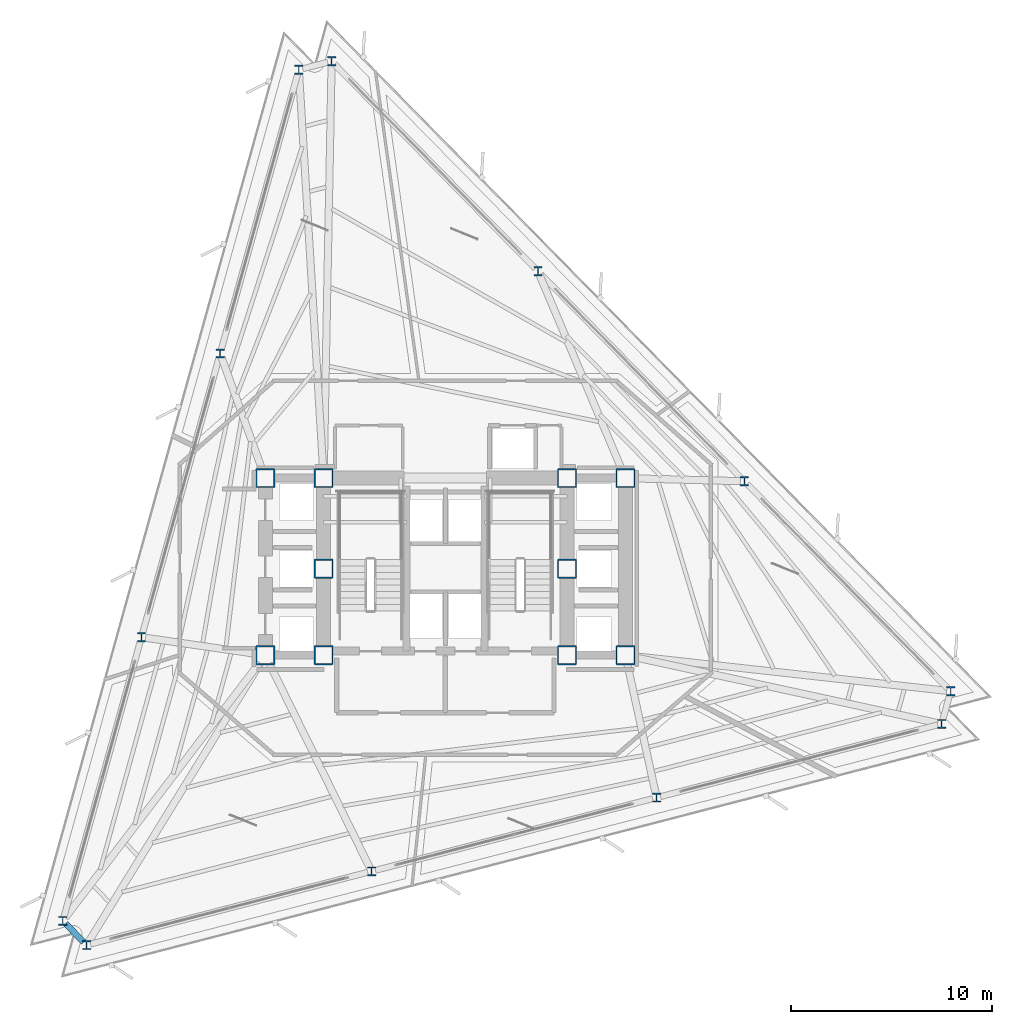
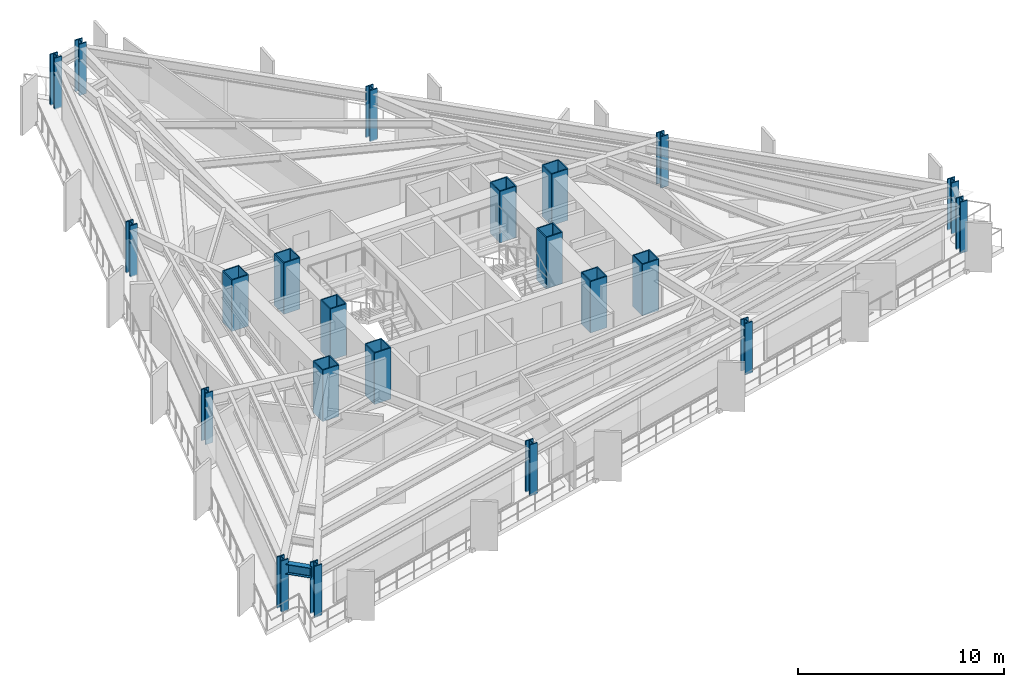
# One storey, part 1 of 11: 22 columns, 1 beam.
"""IFC4 building model written with IfcOpenShell, lengths in metres."""

from ifc_helpers import new_model, si_unit, direction, frame, origin, origin_2d, place, context, subcontext, project, spatial, hollow_rectangle, i_section, extrude, material, material_profile, profile_set, type_object, element, save


model = new_model("IFC4")

# Units and contexts
model_context = context("Model", 3, precision=1e-05, world=origin(), true_north=direction((0.0, 1.0)))
body_context = subcontext(model_context, "Body", "Model", "MODEL_VIEW")
ifc_project = project(units=[si_unit("LENGTHUNIT", "METRE"), si_unit("AREAUNIT", "SQUARE_METRE"), si_unit("VOLUMEUNIT", "CUBIC_METRE"), si_unit("PLANEANGLEUNIT", "RADIAN"), si_unit("MASSUNIT", "GRAM", prefix="KILO")], contexts=[model_context])

# Site, building, storey
site_placement = place(None, origin())
site = spatial("IfcSite", under=ifc_project, at=site_placement, CompositionType="ELEMENT")
building_placement = place(site_placement, origin())
building = spatial("IfcBuilding", under=site, at=building_placement, Name="Rocaltana Carrier Exchange", CompositionType="ELEMENT")
storey_placement = place(building_placement, frame((0.0, 0.0, 85.60009765625)))
storey = spatial("IfcBuildingStorey", under=building, at=storey_placement, Name="L26", CompositionType="ELEMENT", Elevation=85.60009765625)

# Columns
ifc_material_1 = material(Name="Steel S460", Category="steel")
ifc_material_profile_1 = material_profile(ifc_material_1, hollow_rectangle(XDim=0.949951171875, YDim=0.949951171875, WallThickness=0.06005859375, InnerFilletRadius=0.02001953125, OuterFilletRadius=0.0400390625, at=origin_2d()), Name="BOX950X950X60")
ifc_profile_set_1 = profile_set([ifc_material_profile_1], Name="Steel S460")
column_type_1 = type_object("IfcColumnType", Name="Core Mega-Column BOX950", PredefinedType="COLUMN", material=ifc_profile_set_1)
for number, where, z_axis, x_axis, name in (
    (1, (-6.050048828125, 4.5, 0.0), (0.0, 0.0, 1.0), (1.0, 0.0, 0.0), "L26 Core Mega-Column MC1"),
    (2, (6.050048828125, 4.5, 0.0), (0.0, 0.0, 1.0), (1.0, 0.0, 0.0), "L26 Core Mega-Column MC2"),
    (3, (-6.050048828125, 0.0, 0.0), (0.0, 0.0, 1.0), (1.0, 0.0, 0.0), "L26 Core Mega-Column MC3"),
    (4, (6.050048828125, 0.0, 0.0), (0.0, 0.0, 1.0), (1.0, 0.0, 0.0), "L26 Core Mega-Column MC4"),
    (5, (-6.050048828125, -4.300048828125, 0.0), (0.0, 0.0, 1.0), (1.0, 0.0, 0.0), "L26 Core Mega-Column MC5"),
    (6, (6.050048828125, -4.300048828125, 0.0), (0.0, 0.0, 1.0), (1.0, 0.0, 0.0), "L26 Core Mega-Column MC6"),
    (7, (-8.949951171875, 4.5, 0.0), (0.0, 0.0, 1.0), (1.0, 0.0, 0.0), "L26 West Core Column WC1"),
    (8, (-8.949951171875, -4.300048828125, 0.0), (0.0, 0.0, 1.0), (1.0, 0.0, 0.0), "L26 West Core Column WC2"),
    (9, (8.949951171875, 4.5, 0.0), (0.0, 0.0, 1.0), (1.0, 0.0, 0.0), "L26 East Core Column EC1"),
    (10, (8.949951171875, -4.300048828125, 0.0), (0.0, 0.0, 1.0), (1.0, 0.0, 0.0), "L26 East Core Column EC2"),
):
    element("IfcColumn", number, at=place(storey_placement, frame(where, z_axis=z_axis, x_axis=x_axis)), inside=storey, type_object=column_type_1, Name=name, PredefinedType="COLUMN", context=body_context, shape_type="SweptSolid", body=[
        extrude(hollow_rectangle(XDim=0.949951171875, YDim=0.949951171875, WallThickness=0.06005859375, InnerFilletRadius=0.02001953125, OuterFilletRadius=0.0400390625, at=origin_2d()), origin(), (0.0, 0.0, 1.0), 3.039794921875),
    ])
ifc_material_2 = material(Name="Steel S460", Category="steel")
ifc_material_profile_2 = material_profile(ifc_material_2, i_section(OverallWidth=0.41796875, OverallDepth=0.455078125, WebThickness=0.0419921875, FlangeThickness=0.067626953125, FilletRadius=0.02490234375, at=origin_2d()), Name="W14X370")
ifc_profile_set_2 = profile_set([ifc_material_profile_2], Name="Steel S460")
column_type_2 = type_object("IfcColumnType", Name="Perimeter Column W14X370", PredefinedType="COLUMN", material=ifc_profile_set_2)
for number, where, z_axis, x_axis, name in (
    (11, (25.11767578125, -6.091552734375, 0.0), (0.0, 0.0, 1.0), (1.0, 0.0, 0.0), "L26 Perimeter Column TC01"),
    (12, (14.861083984375, 4.345703125, 0.0), (0.0, 0.0, 1.0), (1.0, 0.0, 0.0), "L26 Perimeter Column TC02"),
    (13, (4.6044921875, 14.782958984375, 0.0), (0.0, 0.0, 1.0), (1.0, 0.0, 0.0), "L26 Perimeter Column TC03"),
    (14, (-5.652099609375, 25.22021484375, 0.0), (0.0, 0.0, 1.0), (1.0, 0.0, 0.0), "L26 Perimeter Column TC04"),
    (15, (-7.283447265625, 24.79833984375, 0.0), (0.0, 0.0, 1.0), (1.0, 0.0, 0.0), "L26 Perimeter Column TC05"),
    (16, (-11.194091796875, 10.697265625, 0.0), (0.0, 0.0, 1.0), (1.0, 0.0, 0.0), "L26 Perimeter Column TC06"),
    (17, (-15.1044921875, -3.40380859375, 0.0), (0.0, 0.0, 1.0), (1.0, 0.0, 0.0), "L26 Perimeter Column TC07"),
    (18, (-19.01513671875, -17.505126953125, 0.0), (0.0, 0.0, 1.0), (1.0, 0.0, 0.0), "L26 Perimeter Column TC08"),
    (19, (-17.834228515625, -18.706787109375, 0.0), (0.0, 0.0, 1.0), (1.0, 0.0, 0.0), "L26 Perimeter Column TC09"),
    (20, (-3.6669921875, -15.04296875, 0.0), (0.0, 0.0, 1.0), (1.0, 0.0, 0.0), "L26 Perimeter Column TC10"),
    (21, (10.500244140625, -11.37890625, 0.0), (0.0, 0.0, 1.0), (1.0, 0.0, 0.0), "L26 Perimeter Column TC11"),
    (22, (24.66748046875, -7.715087890625, 0.0), (0.0, 0.0, 1.0), (1.0, 0.0, 0.0), "L26 Perimeter Column TC12"),
):
    element("IfcColumn", number, at=place(storey_placement, frame(where, z_axis=z_axis, x_axis=x_axis)), inside=storey, type_object=column_type_2, Name=name, PredefinedType="COLUMN", context=body_context, shape_type="SweptSolid", body=[
        extrude(i_section(OverallWidth=0.41796875, OverallDepth=0.455078125, WebThickness=0.0419921875, FlangeThickness=0.067626953125, FilletRadius=0.02490234375, at=origin_2d()), origin(), (0.0, 0.0, 1.0), 3.039794921875),
    ])

# Beam
ifc_material_3 = material(Name="Steel S355", Category="steel")
ifc_material_profile_3 = material_profile(ifc_material_3, i_section(OverallWidth=0.300048828125, OverallDepth=0.60009765625, WebThickness=0.015380859375, FlangeThickness=0.030029296875, FilletRadius=0.027099609375, at=origin_2d()), Name="HEB600")
ifc_profile_set_3 = profile_set([ifc_material_profile_3], Name="Steel S355")
beam_type = type_object("IfcBeamType", Name="Spandrel Edge Beam HEB600", PredefinedType="SPANDREL", material=ifc_profile_set_3)
beam_placement = place(storey_placement, frame((-18.874267578125, -17.6484375, 2.48779296875), z_axis=(0.700894805842, -0.713264657153, 0.0), x_axis=(0.713264657153, 0.700894805842, 0.0)))
element("IfcBeam", 23, at=beam_placement, inside=storey, type_object=beam_type, Name="SP-L26-08", PredefinedType="SPANDREL", context=body_context, shape_type="SweptSolid", body=[
    extrude(i_section(OverallWidth=0.300048828125, OverallDepth=0.60009765625, WebThickness=0.015380859375, FlangeThickness=0.030029296875, FilletRadius=0.027099609375, at=origin_2d()), origin(), (0.0, 0.0, 1.0), 1.282958984375),
])

save(model, "model.ifc")
